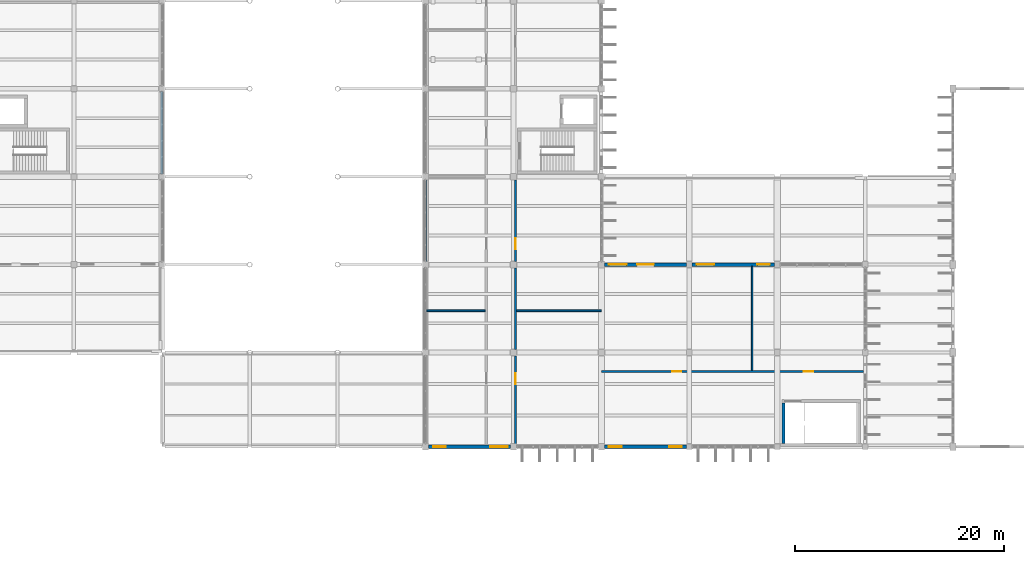
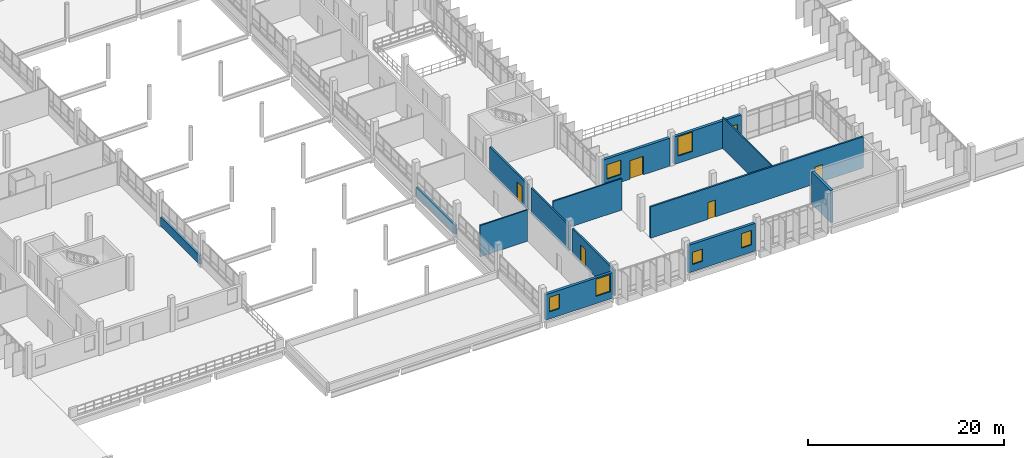
# One storey, part 113 of 130: 14 walls, 7 windows, 5 doors, 12 openings.
"""IFC4 building model written with IfcOpenShell, lengths in metres."""

from ifc_helpers import new_model, si_unit, direction, frame, frame_2d, origin, place, context, subcontext, project, spatial, rectangle, extrude, material, layer, layer_set, type_object, element, fill, save


model = new_model("IFC4")

# Units and contexts
model_context = context("Model", 3, precision=1e-05, world=origin(), true_north=direction((0.0, 1.0)))
body_context = subcontext(model_context, "Body", "Model", "MODEL_VIEW")
ifc_project = project(units=[si_unit("LENGTHUNIT", "METRE"), si_unit("AREAUNIT", "SQUARE_METRE"), si_unit("VOLUMEUNIT", "CUBIC_METRE"), si_unit("PLANEANGLEUNIT", "RADIAN"), si_unit("MASSUNIT", "GRAM", prefix="KILO")], contexts=[model_context])

# Site, building, storey
site_placement = place(None, origin())
site = spatial("IfcSite", under=ifc_project, at=site_placement, CompositionType="ELEMENT")
building_placement = place(site_placement, origin())
building = spatial("IfcBuilding", under=site, at=building_placement, Name="Vireocrest Preparatory School", CompositionType="ELEMENT")
storey_placement = place(building_placement, frame((0.0, 0.0, 9.0)))
storey = spatial("IfcBuildingStorey", under=building, at=storey_placement, Name="L02", CompositionType="ELEMENT", Elevation=9.0)

# Wall
ifc_material_1 = material(Name="Gypsum board on cold-formed steel studs", Category="steel")
ifc_layer_1 = layer(ifc_material_1, 0.139892578125)
ifc_layer_set_1 = layer_set([ifc_layer_1], Name="Gypsum board on cold-formed steel studs")
wall_type_1 = type_object("IfcWallType", Name="Classroom Acoustic Partition Wall 140", PredefinedType="PARTITIONING", material=ifc_layer_set_1)
wall_1_placement = place(storey_placement, frame((123.60009765625, 25.304931640625, 0.0), z_axis=(0.0, 0.0, 1.0), x_axis=(0.0, 1.0, 0.0)))
element("IfcWall", 1, at=wall_1_placement, inside=storey, type_object=wall_type_1, Name="Interior Partition W03 IW_L02_0240", PredefinedType="PARTITIONING", context=body_context, shape_type="SweptSolid", body=[
    extrude(rectangle(XDim=9.93017578125, YDim=0.139892578125, at=frame_2d((4.965087890625, 0.0))), origin(), (0.0, 0.0, 1.0), 3.89990234375),
])

# Wall, opening, door
ifc_layer_2 = layer(ifc_material_1, 0.199951171875)
ifc_layer_set_2 = layer_set([ifc_layer_2], Name="Gypsum board on cold-formed steel studs")
wall_type_2 = type_object("IfcWallType", Name="Corridor One-Hour Fire Partition 200", PredefinedType="PARTITIONING", material=ifc_layer_set_2)
wall_2_placement = place(storey_placement, frame((101.0, 18.10498046875, 0.0), z_axis=(0.0, 0.0, 1.0), x_axis=(0.0, 1.0, 0.0)))
wall_2 = element("IfcWall", 2, at=wall_2_placement, inside=storey, type_object=wall_type_2, Name="Interior Partition W06 IW_L02_0234", PredefinedType="PARTITIONING", context=body_context, shape_type="SweptSolid", body=[
    extrude(rectangle(XDim=8.5849609375, YDim=0.199951171875, at=frame_2d((4.29248046875, 0.0))), origin(), (0.0, 0.0, 1.0), 3.179931640625),
])
opening_1_placement = place(wall_2_placement, frame((5.8701171875, 0.0, 0.0)))
opening_1 = element("IfcOpeningElement", 3, at=opening_1_placement, cuts=wall_2, Name="Opening D-L02-E2E01", PredefinedType="OPENING", context=body_context, shape_type="SweptSolid", body=[
    extrude(rectangle(XDim=1.050048828125, YDim=2.199951171875, at=frame_2d((0.52490234375, 1.10009765625))), frame((0.0, 0.10986328125, 0.0), z_axis=(0.0, -1.0, 0.0), x_axis=(1.0, 0.0, 0.0)), (0.0, 0.0, 1.0), 0.219970703125),
])
ifc_material_2 = material(Name="Painted galvanized hollow steel", Category="steel")
door_type_1 = type_object("IfcDoorType", Name="Laboratory Fire Door 1050x2200", OperationType="NOTDEFINED", PredefinedType="DOOR", material=ifc_material_2)
door_1_placement = place(opening_1_placement, origin())
door_1 = element("IfcDoor", 4, at=door_1_placement, inside=storey, type_object=door_type_1, Name="Interior Door D-L02-E2E01", OperationType="SINGLE_SWING_LEFT", OverallHeight=2.199951171875, OverallWidth=1.050048828125, PredefinedType="DOOR", context=body_context, shape_type="SweptSolid", body=[
    extrude(rectangle(XDim=1.050048828125, YDim=2.199951171875, at=frame_2d((0.52490234375, 1.10009765625))), frame((0.0, 0.02490234375, 0.0), z_axis=(0.0, -1.0, 0.0), x_axis=(1.0, 0.0, 0.0)), (0.0, 0.0, 1.0), 0.050048828125),
])
fill(opening_1, door_1)

# Wall
wall_3_placement = place(storey_placement, frame((101.0, 27.31005859375, 0.0), z_axis=(0.0, 0.0, 1.0), x_axis=(0.0, 1.0, 0.0)))
element("IfcWall", 5, at=wall_3_placement, inside=storey, type_object=wall_type_2, Name="Interior Partition W06 IW_L02_0235", PredefinedType="PARTITIONING", context=body_context, shape_type="SweptSolid", body=[
    extrude(rectangle(XDim=7.780029296875, YDim=0.199951171875, at=frame_2d((3.89013671875, 0.0))), origin(), (0.0, 0.0, 1.0), 3.1298828125),
])

# Wall, opening, door
wall_4_placement = place(storey_placement, frame((101.0, 35.7099609375, 0.0), z_axis=(0.0, 0.0, 1.0), x_axis=(0.0, 1.0, 0.0)))
wall_4 = element("IfcWall", 6, at=wall_4_placement, inside=storey, type_object=wall_type_2, Name="Interior Partition W06 IW_L02_0236", PredefinedType="PARTITIONING", context=body_context, shape_type="SweptSolid", body=[
    extrude(rectangle(XDim=7.780029296875, YDim=0.199951171875, at=frame_2d((3.89013671875, 0.0))), origin(), (0.0, 0.0, 1.0), 3.139892578125),
])
opening_2_placement = place(wall_4_placement, frame((1.1650390625, 0.0, 0.0)))
opening_2 = element("IfcOpeningElement", 7, at=opening_2_placement, cuts=wall_4, Name="Opening D-L02-E2E02", PredefinedType="OPENING", context=body_context, shape_type="SweptSolid", body=[
    extrude(rectangle(XDim=1.050048828125, YDim=2.199951171875, at=frame_2d((0.52490234375, 1.10009765625))), frame((0.0, 0.10986328125, 0.0), z_axis=(0.0, -1.0, 0.0), x_axis=(1.0, 0.0, 0.0)), (0.0, 0.0, 1.0), 0.219970703125),
])
door_2_placement = place(opening_2_placement, origin())
door_2 = element("IfcDoor", 8, at=door_2_placement, inside=storey, type_object=door_type_1, Name="Interior Door D-L02-E2E02", OperationType="SINGLE_SWING_RIGHT", OverallHeight=2.199951171875, OverallWidth=1.050048828125, PredefinedType="DOOR", context=body_context, shape_type="SweptSolid", body=[
    extrude(rectangle(XDim=1.050048828125, YDim=2.199951171875, at=frame_2d((0.52490234375, 1.10009765625))), frame((0.0, 0.02490234375, 0.0), z_axis=(0.0, -1.0, 0.0), x_axis=(1.0, 0.0, 0.0)), (0.0, 0.0, 1.0), 0.050048828125),
])
fill(opening_2, door_2)

# Wall, openings, doors
wall_5_placement = place(storey_placement, frame((109.2099609375, 25.199951171875, 0.0), z_axis=(0.0, 0.0, 1.0), x_axis=(1.0, 0.0, 0.0)))
wall_5 = element("IfcWall", 9, at=wall_5_placement, inside=storey, type_object=wall_type_2, Name="Interior Partition W06 IW_L02_0241", PredefinedType="PARTITIONING", context=body_context, shape_type="SweptSolid", body=[
    extrude(rectangle(XDim=25.025146484375, YDim=0.199951171875, at=frame_2d((12.5126953125, 0.0))), origin(), (0.0, 0.0, 1.0), 3.89990234375),
])
opening_3_placement = place(wall_5_placement, frame((6.739990234375, 0.0, 0.0)))
opening_3 = element("IfcOpeningElement", 10, at=opening_3_placement, cuts=wall_5, Name="Opening D-L02-ES201", PredefinedType="OPENING", context=body_context, shape_type="SweptSolid", body=[
    extrude(rectangle(XDim=0.89990234375, YDim=2.10009765625, at=frame_2d((0.449951171875, 1.050048828125))), frame((0.0, 0.10986328125, 0.0), z_axis=(0.0, -1.0, 0.0), x_axis=(1.0, 0.0, 0.0)), (0.0, 0.0, 1.0), 0.219970703125),
])
opening_4_placement = place(wall_5_placement, frame((19.340087890625, 0.0, 0.0)))
opening_4 = element("IfcOpeningElement", 11, at=opening_4_placement, cuts=wall_5, Name="Opening D-L02-ES202", PredefinedType="OPENING", context=body_context, shape_type="SweptSolid", body=[
    extrude(rectangle(XDim=0.89990234375, YDim=2.10009765625, at=frame_2d((0.449951171875, 1.050048828125))), frame((0.0, 0.10986328125, 0.0), z_axis=(0.0, -1.0, 0.0), x_axis=(1.0, 0.0, 0.0)), (0.0, 0.0, 1.0), 0.219970703125),
])
ifc_material_3 = material(Name="Solid-core architectural birch timber", Category="wood")
door_type_2 = type_object("IfcDoorType", Name="Office Timber Door 900x2100", OperationType="NOTDEFINED", PredefinedType="DOOR", material=ifc_material_3)
door_3_placement = place(opening_3_placement, origin())
door_3 = element("IfcDoor", 12, at=door_3_placement, inside=storey, type_object=door_type_2, Name="Interior Door D-L02-ES201", OperationType="SINGLE_SWING_RIGHT", OverallHeight=2.10009765625, OverallWidth=0.89990234375, PredefinedType="DOOR", context=body_context, shape_type="SweptSolid", body=[
    extrude(rectangle(XDim=0.89990234375, YDim=2.10009765625, at=frame_2d((0.449951171875, 1.050048828125))), frame((0.0, 0.02490234375, 0.0), z_axis=(0.0, -1.0, 0.0), x_axis=(1.0, 0.0, 0.0)), (0.0, 0.0, 1.0), 0.050048828125),
])
fill(opening_3, door_3)
door_4_placement = place(opening_4_placement, origin())
door_4 = element("IfcDoor", 13, at=door_4_placement, inside=storey, type_object=door_type_2, Name="Interior Door D-L02-ES202", OperationType="SINGLE_SWING_LEFT", OverallHeight=2.10009765625, OverallWidth=0.89990234375, PredefinedType="DOOR", context=body_context, shape_type="SweptSolid", body=[
    extrude(rectangle(XDim=0.89990234375, YDim=2.10009765625, at=frame_2d((0.449951171875, 1.050048828125))), frame((0.0, 0.02490234375, 0.0), z_axis=(0.0, -1.0, 0.0), x_axis=(1.0, 0.0, 0.0)), (0.0, 0.0, 1.0), 0.050048828125),
])
fill(opening_4, door_4)

# Wall, openings, window, door
ifc_material_4 = material(Name="Precast white concrete 40 MPa", Category="concrete")
ifc_layer_3 = layer(ifc_material_4, 0.320068359375)
ifc_layer_set_3 = layer_set([ifc_layer_3], Name="Precast white concrete 40 MPa")
wall_type_3 = type_object("IfcWallType", Name="High-Tech Insulated Rainscreen External Wall 320", PredefinedType="SOLIDWALL", material=ifc_layer_set_3)
wall_6_placement = place(storey_placement, frame((109.47509765625, 35.39990234375, 0.0), z_axis=(0.0, 0.0, 1.0), x_axis=(1.0, 0.0, 0.0)))
wall_6 = element("IfcWall", 14, at=wall_6_placement, inside=storey, type_object=wall_type_3, Name="External Wall W12 EW_L02_0224", PredefinedType="SOLIDWALL", context=body_context, shape_type="SweptSolid", body=[
    extrude(rectangle(XDim=7.875, YDim=0.320068359375, at=frame_2d((3.9375, 0.0))), origin(), (0.0, 0.0, 1.0), 3.47998046875),
])
opening_5_placement = place(wall_6_placement, frame((3.137451171875, 0.0, 0.0)))
opening_5 = element("IfcOpeningElement", 15, at=opening_5_placement, cuts=wall_6, Name="Opening TD-202", PredefinedType="OPENING", context=body_context, shape_type="SweptSolid", body=[
    extrude(rectangle(XDim=1.60009765625, YDim=2.300048828125, at=frame_2d((0.800048828125, 1.14990234375))), frame((0.0, 0.169921875, 0.0), z_axis=(0.0, -1.0, 0.0), x_axis=(1.0, 0.0, 0.0)), (0.0, 0.0, 1.0), 0.340087890625),
])
opening_6_placement = place(wall_6_placement, frame((0.449951171875, 0.0, 0.949951171875)))
opening_6 = element("IfcOpeningElement", 16, at=opening_6_placement, cuts=wall_6, Name="Opening WN05", PredefinedType="OPENING", context=body_context, shape_type="SweptSolid", body=[
    extrude(rectangle(XDim=1.679931640625, YDim=1.800048828125, at=frame_2d((0.83984375, 0.89990234375))), frame((0.0, 0.169921875, 0.0), z_axis=(0.0, -1.0, 0.0), x_axis=(1.0, 0.0, 0.0)), (0.0, 0.0, 1.0), 0.340087890625),
])
ifc_material_5 = material(Name="Thermally broken aluminium EN AW-6063-T6", Category="aluminium")
window_type_1 = type_object("IfcWindowType", Name="Module Classroom Window 1680x1800", PartitioningType="SINGLE_PANEL", PredefinedType="WINDOW", material=ifc_material_5)
window_1_placement = place(opening_6_placement, origin())
window_1 = element("IfcWindow", 17, at=window_1_placement, inside=storey, type_object=window_type_1, Name="Window W-L02-097 (WN05)", OverallHeight=1.800048828125, OverallWidth=1.679931640625, PartitioningType="SINGLE_PANEL", PredefinedType="WINDOW", context=body_context, shape_type="SweptSolid", body=[
    extrude(rectangle(XDim=1.679931640625, YDim=1.800048828125, at=frame_2d((0.83984375, 0.89990234375))), frame((0.0, 0.030029296875, 0.0), z_axis=(0.0, -1.0, 0.0), x_axis=(1.0, 0.0, 0.0)), (0.0, 0.0, 1.0), 0.06005859375),
])
fill(opening_6, window_1)
ifc_material_6 = material(Name="Thermally broken glazed aluminium", Category="aluminium")
door_type_3 = type_object("IfcDoorType", Name="Terrace Glazed Double Door 1600x2300", OperationType="DOUBLE_DOOR_SINGLE_SWING", PredefinedType="DOOR", material=ifc_material_6)
door_5_placement = place(opening_5_placement, origin())
door_5 = element("IfcDoor", 18, at=door_5_placement, inside=storey, type_object=door_type_3, Name="Second-Floor Studio Terrace Door TD-202", OperationType="DOUBLE_DOOR_SINGLE_SWING", OverallHeight=2.300048828125, OverallWidth=1.60009765625, PredefinedType="DOOR", context=body_context, shape_type="SweptSolid", body=[
    extrude(rectangle(XDim=1.60009765625, YDim=2.300048828125, at=frame_2d((0.800048828125, 1.14990234375))), frame((0.0, 0.02490234375, 0.0), z_axis=(0.0, -1.0, 0.0), x_axis=(1.0, 0.0, 0.0)), (0.0, 0.0, 1.0), 0.050048828125),
])
fill(opening_5, door_5)

# Wall, openings, windows
wall_7_placement = place(storey_placement, frame((117.85009765625, 35.39990234375, 0.0), z_axis=(0.0, 0.0, 1.0), x_axis=(1.0, 0.0, 0.0)))
wall_7 = element("IfcWall", 19, at=wall_7_placement, inside=storey, type_object=wall_type_3, Name="External Wall W12 EW_L02_0225", PredefinedType="SOLIDWALL", context=body_context, shape_type="SweptSolid", body=[
    extrude(rectangle(XDim=7.89990234375, YDim=0.320068359375, at=frame_2d((3.949951171875, 0.0))), origin(), (0.0, 0.0, 1.0), 3.429931640625),
])
opening_7_placement = place(wall_7_placement, frame((0.449951171875, 0.0, 0.89990234375)))
opening_7 = element("IfcOpeningElement", 20, at=opening_7_placement, cuts=wall_7, Name="Opening WN07", PredefinedType="OPENING", context=body_context, shape_type="SweptSolid", body=[
    extrude(rectangle(XDim=1.679931640625, YDim=2.39990234375, at=frame_2d((0.83984375, 1.199951171875))), frame((0.0, 0.169921875, 0.0), z_axis=(0.0, -1.0, 0.0), x_axis=(1.0, 0.0, 0.0)), (0.0, 0.0, 1.0), 0.340087890625),
])
opening_8_placement = place(wall_7_placement, frame((6.25, 0.0, 0.89990234375)))
opening_8 = element("IfcOpeningElement", 21, at=opening_8_placement, cuts=wall_7, Name="Opening WN01", PredefinedType="OPENING", context=body_context, shape_type="SweptSolid", body=[
    extrude(rectangle(XDim=1.199951171875, YDim=1.5, at=frame_2d((0.60009765625, 0.75))), frame((0.0, 0.169921875, 0.0), z_axis=(0.0, -1.0, 0.0), x_axis=(1.0, 0.0, 0.0)), (0.0, 0.0, 1.0), 0.340087890625),
])
window_type_2 = type_object("IfcWindowType", Name="Module Lab Window 1680x2400", PartitioningType="SINGLE_PANEL", PredefinedType="WINDOW", material=ifc_material_5)
window_2_placement = place(opening_7_placement, origin())
window_2 = element("IfcWindow", 22, at=window_2_placement, inside=storey, type_object=window_type_2, Name="Window W-L02-098 (WN07)", OverallHeight=2.39990234375, OverallWidth=1.679931640625, PartitioningType="SINGLE_PANEL", PredefinedType="WINDOW", context=body_context, shape_type="SweptSolid", body=[
    extrude(rectangle(XDim=1.679931640625, YDim=2.39990234375, at=frame_2d((0.83984375, 1.199951171875))), frame((0.0, 0.030029296875, 0.0), z_axis=(0.0, -1.0, 0.0), x_axis=(1.0, 0.0, 0.0)), (0.0, 0.0, 1.0), 0.06005859375),
])
fill(opening_7, window_2)
window_type_3 = type_object("IfcWindowType", Name="Office Punched Window 1200x1500", PartitioningType="SINGLE_PANEL", PredefinedType="WINDOW", material=ifc_material_5)
window_3_placement = place(opening_8_placement, origin())
window_3 = element("IfcWindow", 23, at=window_3_placement, inside=storey, type_object=window_type_3, Name="Window W-L02-099 (WN01)", OverallHeight=1.5, OverallWidth=1.199951171875, PartitioningType="SINGLE_PANEL", PredefinedType="WINDOW", context=body_context, shape_type="SweptSolid", body=[
    extrude(rectangle(XDim=1.199951171875, YDim=1.5, at=frame_2d((0.60009765625, 0.75))), frame((0.0, 0.030029296875, 0.0), z_axis=(0.0, -1.0, 0.0), x_axis=(1.0, 0.0, 0.0)), (0.0, 0.0, 1.0), 0.06005859375),
])
fill(opening_8, window_3)

wall_8_placement = place(storey_placement, frame((92.675048828125, 18.0, 0.0), z_axis=(0.0, 0.0, 1.0), x_axis=(1.0, 0.0, 0.0)))
wall_8 = element("IfcWall", 24, at=wall_8_placement, inside=storey, type_object=wall_type_3, Name="External Wall W12 EW_L02_0263", PredefinedType="SOLIDWALL", context=body_context, shape_type="SweptSolid", body=[
    extrude(rectangle(XDim=7.849853515625, YDim=0.320068359375, at=frame_2d((3.9248046875, 0.0))), origin(), (0.0, 0.0, 1.0), 3.179931640625),
])
opening_9_placement = place(wall_8_placement, frame((0.449951171875, 0.0, 0.89990234375)))
opening_9 = element("IfcOpeningElement", 25, at=opening_9_placement, cuts=wall_8, Name="Opening WN02", PredefinedType="OPENING", context=body_context, shape_type="SweptSolid", body=[
    extrude(rectangle(XDim=1.199951171875, YDim=1.800048828125, at=frame_2d((0.60009765625, 0.89990234375))), frame((0.0, 0.169921875, 0.0), z_axis=(0.0, -1.0, 0.0), x_axis=(1.0, 0.0, 0.0)), (0.0, 0.0, 1.0), 0.340087890625),
])
opening_10_placement = place(wall_8_placement, frame((5.919921875, 0.0, 0.89990234375)))
opening_10 = element("IfcOpeningElement", 26, at=opening_10_placement, cuts=wall_8, Name="Opening WN07", PredefinedType="OPENING", context=body_context, shape_type="SweptSolid", body=[
    extrude(rectangle(XDim=1.679931640625, YDim=2.1298828125, at=frame_2d((0.83984375, 1.06494140625))), frame((0.0, 0.169921875, 0.0), z_axis=(0.0, -1.0, 0.0), x_axis=(1.0, 0.0, 0.0)), (0.0, 0.0, 1.0), 0.340087890625),
])
window_type_4 = type_object("IfcWindowType", Name="Counseling Window 1200x1800", PartitioningType="SINGLE_PANEL", PredefinedType="WINDOW", material=ifc_material_5)
window_4_placement = place(opening_9_placement, origin())
window_4 = element("IfcWindow", 27, at=window_4_placement, inside=storey, type_object=window_type_4, Name="Window W-L02-121 (WN02)", OverallHeight=1.800048828125, OverallWidth=1.199951171875, PartitioningType="SINGLE_PANEL", PredefinedType="WINDOW", context=body_context, shape_type="SweptSolid", body=[
    extrude(rectangle(XDim=1.199951171875, YDim=1.800048828125, at=frame_2d((0.60009765625, 0.89990234375))), frame((0.0, 0.030029296875, 0.0), z_axis=(0.0, -1.0, 0.0), x_axis=(1.0, 0.0, 0.0)), (0.0, 0.0, 1.0), 0.06005859375),
])
fill(opening_9, window_4)
window_5_placement = place(opening_10_placement, origin())
window_5 = element("IfcWindow", 28, at=window_5_placement, inside=storey, type_object=window_type_2, Name="Window W-L02-122 (WN07)", OverallHeight=2.1298828125, OverallWidth=1.679931640625, PartitioningType="SINGLE_PANEL", PredefinedType="WINDOW", context=body_context, shape_type="SweptSolid", body=[
    extrude(rectangle(XDim=1.679931640625, YDim=2.1298828125, at=frame_2d((0.83984375, 1.06494140625))), frame((0.0, 0.030029296875, 0.0), z_axis=(0.0, -1.0, 0.0), x_axis=(1.0, 0.0, 0.0)), (0.0, 0.0, 1.0), 0.06005859375),
])
fill(opening_10, window_5)

wall_9_placement = place(storey_placement, frame((109.47509765625, 18.0, 0.0), z_axis=(0.0, 0.0, 1.0), x_axis=(1.0, 0.0, 0.0)))
wall_9 = element("IfcWall", 29, at=wall_9_placement, inside=storey, type_object=wall_type_3, Name="External Wall W12 EW_L02_0265", PredefinedType="SOLIDWALL", context=body_context, shape_type="SweptSolid", body=[
    extrude(rectangle(XDim=7.875, YDim=0.320068359375, at=frame_2d((3.9375, 0.0))), origin(), (0.0, 0.0, 1.0), 3.429931640625),
])
opening_11_placement = place(wall_9_placement, frame((0.449951171875, 0.0, 0.89990234375)))
opening_11 = element("IfcOpeningElement", 30, at=opening_11_placement, cuts=wall_9, Name="Opening WN01", PredefinedType="OPENING", context=body_context, shape_type="SweptSolid", body=[
    extrude(rectangle(XDim=1.199951171875, YDim=1.5, at=frame_2d((0.60009765625, 0.75))), frame((0.0, 0.169921875, 0.0), z_axis=(0.0, -1.0, 0.0), x_axis=(1.0, 0.0, 0.0)), (0.0, 0.0, 1.0), 0.340087890625),
])
opening_12_placement = place(wall_9_placement, frame((6.22509765625, 0.0, 0.89990234375)))
opening_12 = element("IfcOpeningElement", 31, at=opening_12_placement, cuts=wall_9, Name="Opening WN02", PredefinedType="OPENING", context=body_context, shape_type="SweptSolid", body=[
    extrude(rectangle(XDim=1.199951171875, YDim=1.800048828125, at=frame_2d((0.60009765625, 0.89990234375))), frame((0.0, 0.169921875, 0.0), z_axis=(0.0, -1.0, 0.0), x_axis=(1.0, 0.0, 0.0)), (0.0, 0.0, 1.0), 0.340087890625),
])
window_6_placement = place(opening_12_placement, origin())
window_6 = element("IfcWindow", 32, at=window_6_placement, inside=storey, type_object=window_type_4, Name="Window W-L02-124 (WN02)", OverallHeight=1.800048828125, OverallWidth=1.199951171875, PartitioningType="SINGLE_PANEL", PredefinedType="WINDOW", context=body_context, shape_type="SweptSolid", body=[
    extrude(rectangle(XDim=1.199951171875, YDim=1.800048828125, at=frame_2d((0.60009765625, 0.89990234375))), frame((0.0, 0.030029296875, 0.0), z_axis=(0.0, -1.0, 0.0), x_axis=(1.0, 0.0, 0.0)), (0.0, 0.0, 1.0), 0.06005859375),
])
fill(opening_12, window_6)
window_7_placement = place(opening_11_placement, origin())
window_7 = element("IfcWindow", 33, at=window_7_placement, inside=storey, type_object=window_type_3, Name="Window W-L02-123 (WN01)", OverallHeight=1.5, OverallWidth=1.199951171875, PartitioningType="SINGLE_PANEL", PredefinedType="WINDOW", context=body_context, shape_type="SweptSolid", body=[
    extrude(rectangle(XDim=1.199951171875, YDim=1.5, at=frame_2d((0.60009765625, 0.75))), frame((0.0, 0.030029296875, 0.0), z_axis=(0.0, -1.0, 0.0), x_axis=(1.0, 0.0, 0.0)), (0.0, 0.0, 1.0), 0.06005859375),
])
fill(opening_11, window_7)

# Walls
ifc_layer_4 = layer(ifc_material_1, 0.159912109375)
ifc_layer_set_4 = layer_set([ifc_layer_4], Name="Gypsum board on cold-formed steel studs")
wall_type_4 = type_object("IfcWallType", Name="Laboratory Wet-Service Partition Wall 160", PredefinedType="PARTITIONING", material=ifc_layer_set_4)
wall_10_placement = place(storey_placement, frame((92.52490234375, 31.0, 0.0), z_axis=(0.0, 0.0, 1.0), x_axis=(1.0, 0.0, 0.0)))
element("IfcWall", 34, at=wall_10_placement, inside=storey, type_object=wall_type_4, Name="Interior Partition W04 IW_L02_0225", PredefinedType="PARTITIONING", context=body_context, shape_type="SweptSolid", body=[
    extrude(rectangle(XDim=5.570068359375, YDim=0.159912109375, at=frame_2d((2.78515625, 0.0))), origin(), (0.0, 0.0, 1.0), 3.89990234375),
])
wall_11_placement = place(storey_placement, frame((101.10498046875, 31.0, 0.0), z_axis=(0.0, 0.0, 1.0), x_axis=(1.0, 0.0, 0.0)))
element("IfcWall", 35, at=wall_11_placement, inside=storey, type_object=wall_type_4, Name="Interior Partition W04 IW_L02_0233", PredefinedType="PARTITIONING", context=body_context, shape_type="SweptSolid", body=[
    extrude(rectangle(XDim=8.0849609375, YDim=0.159912109375, at=frame_2d((4.04248046875, 0.0))), origin(), (0.0, 0.0, 1.0), 3.89990234375),
])
ifc_material_7 = material(Name="Concrete 45 MPa", Category="concrete")
ifc_layer_5 = layer(ifc_material_7, 0.300048828125)
ifc_layer_set_5 = layer_set([ifc_layer_5], Name="Concrete 45 MPa")
wall_type_5 = type_object("IfcWallType", Name="Two-Hour RC Stair Shaft Shear Wall 300", PredefinedType="SHEAR", material=ifc_layer_set_5)
wall_12_placement = place(storey_placement, frame((126.60009765625, 18.300048828125, 0.0), z_axis=(0.0, 0.0, 1.0), x_axis=(0.0, 1.0, 0.0)))
element("IfcWall", 36, at=wall_12_placement, inside=storey, type_object=wall_type_5, Name="Stair Core Shear Wall ST6 L02-W", PredefinedType="SHEAR", context=body_context, shape_type="SweptSolid", body=[
    extrude(rectangle(XDim=3.89990234375, YDim=0.300048828125, at=frame_2d((1.949951171875, 0.0))), origin(), (0.0, 0.0, 1.0), 4.02490234375),
])
ifc_layer_6 = layer(ifc_material_4, 0.239990234375)
ifc_layer_set_6 = layer_set([ifc_layer_6], Name="Precast white concrete 40 MPa")
wall_type_6 = type_object("IfcWallType", Name="White Precast Courtyard Spandrel Wall 240", PredefinedType="SOLIDWALL", material=ifc_layer_set_6)
wall_13_placement = place(storey_placement, frame((92.39990234375, 35.675048828125, 0.0), z_axis=(0.0, 0.0, 1.0), x_axis=(0.0, 1.0, 0.0)))
element("IfcWall", 37, at=wall_13_placement, inside=storey, type_object=wall_type_6, Name="External Wall W08 EW_L02_0257", PredefinedType="SOLIDWALL", context=body_context, shape_type="SweptSolid", body=[
    extrude(rectangle(XDim=7.849853515625, YDim=0.239990234375, at=frame_2d((3.9248046875, 0.0))), origin(), (0.0, 0.0, 1.0), 1.14990234375),
])
wall_14_placement = place(storey_placement, frame((67.199951171875, 44.050048828125, 0.0), z_axis=(0.0, 0.0, 1.0), x_axis=(0.0, 1.0, 0.0)))
element("IfcWall", 38, at=wall_14_placement, inside=storey, type_object=wall_type_6, Name="External Wall W08 EW_L02_0293", PredefinedType="SOLIDWALL", context=body_context, shape_type="SweptSolid", body=[
    extrude(rectangle(XDim=7.89990234375, YDim=0.239990234375, at=frame_2d((3.949951171875, 0.0))), origin(), (0.0, 0.0, 1.0), 1.14990234375),
])

save(model, "model.ifc")
